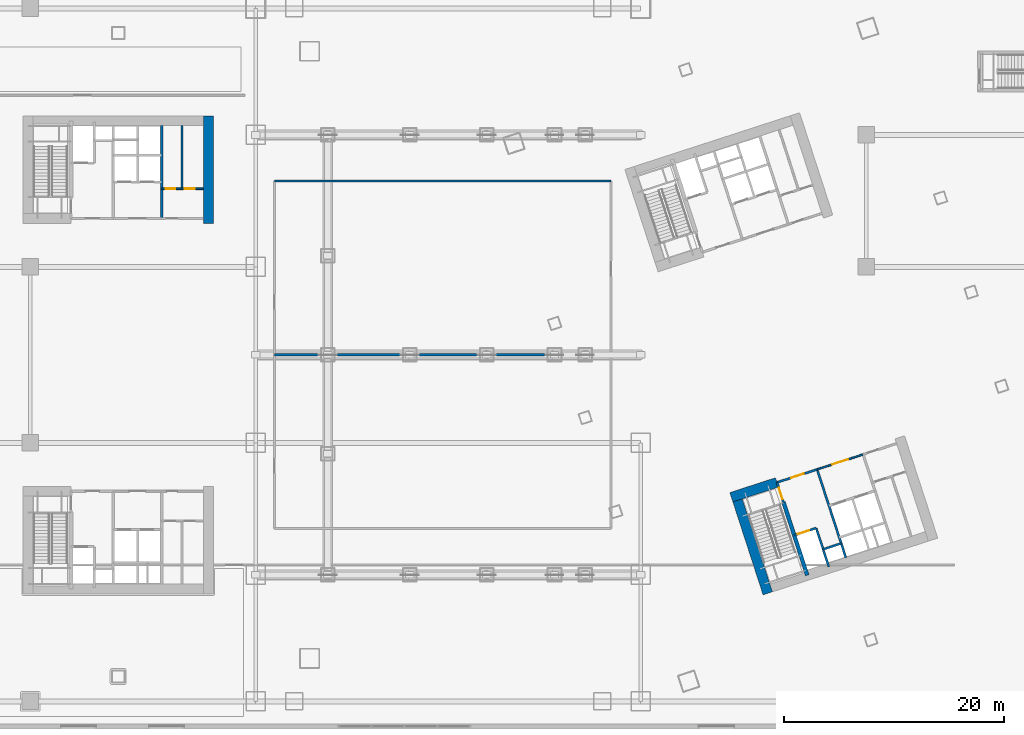
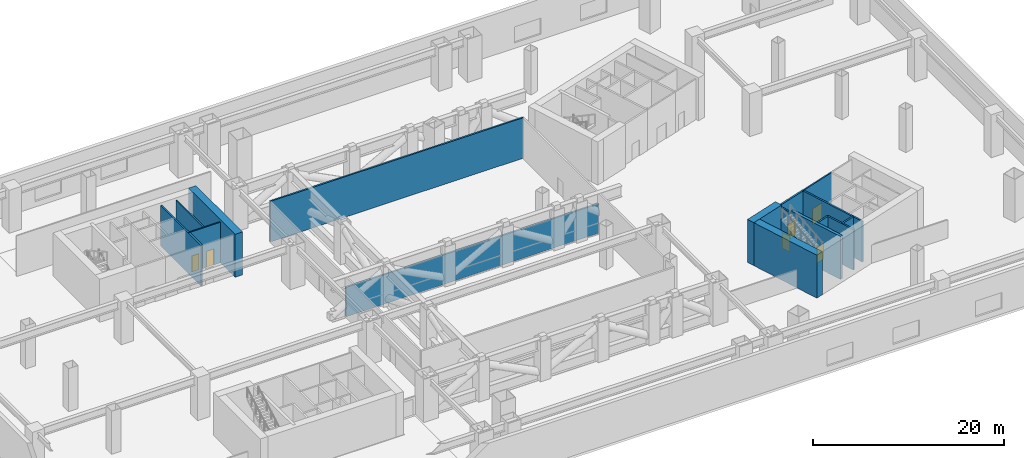
# One storey, part 27 of 34: 16 walls, 6 doors, 6 openings.
"""IFC4 building model written with IfcOpenShell, lengths in metres."""

from ifc_helpers import new_model, si_unit, direction, frame, frame_2d, origin, place, context, subcontext, project, spatial, rectangle, extrude, material, layer, layer_set, type_object, element, fill, save


model = new_model("IFC4")

# Units and contexts
model_context = context("Model", 3, precision=1e-05, world=origin(), true_north=direction((0.0, 1.0)))
body_context = subcontext(model_context, "Body", "Model", "MODEL_VIEW")
ifc_project = project(units=[si_unit("LENGTHUNIT", "METRE"), si_unit("AREAUNIT", "SQUARE_METRE"), si_unit("VOLUMEUNIT", "CUBIC_METRE"), si_unit("PLANEANGLEUNIT", "RADIAN"), si_unit("MASSUNIT", "GRAM", prefix="KILO")], contexts=[model_context])

# Site, building, storey
site_placement = place(None, origin())
site = spatial("IfcSite", under=ifc_project, at=site_placement, CompositionType="ELEMENT")
building_placement = place(site_placement, origin())
building = spatial("IfcBuilding", under=site, at=building_placement, Name="Qiaolan Cultural Towers", CompositionType="ELEMENT")
storey_placement = place(building_placement, frame((0.0, 0.0, 16.5)))
storey = spatial("IfcBuildingStorey", under=building, at=storey_placement, Name="L03", CompositionType="ELEMENT", Elevation=16.5)

# Walls
ifc_material_1 = material(Name="Concrete C50", Category="concrete")
ifc_layer_1 = layer(ifc_material_1, 0.35009765625)
ifc_layer_set_1 = layer_set([ifc_layer_1], Name="Concrete C50")
wall_type_1 = type_object("IfcWallType", Name="WL-CORE-350", PredefinedType="SHEAR", material=ifc_layer_set_1)
wall_1_placement = place(storey_placement, frame((90.486328125, 20.59423828125, 0.0), z_axis=(0.0, 0.0, 1.0), x_axis=(0.309020428229, -0.951055400562, 0.0)))
element("IfcWall", 1, at=wall_1_placement, inside=storey, type_object=wall_type_1, Name="L03 T2-CS Stair Core Dividing Web", PredefinedType="SHEAR", context=body_context, shape_type="SweptSolid", body=[
    extrude(rectangle(XDim=6.97998046875, YDim=0.35009765625, at=frame_2d((3.489990234375, 0.0))), origin(), (0.0, 0.0, 1.0), 5.5),
])
ifc_material_2 = material(Name="Concrete C60", Category="concrete")
ifc_layer_2 = layer(ifc_material_2, 0.89990234375)
ifc_layer_set_2 = layer_set([ifc_layer_2], Name="Concrete C60")
wall_type_2 = type_object("IfcWallType", Name="WL-CORE-900", PredefinedType="SHEAR", material=ifc_layer_set_2)
wall_2_placement = place(storey_placement, frame((38.199951171875, 45.949951171875, 0.0), z_axis=(0.0, 0.0, 1.0), x_axis=(0.0, 1.0, 0.0)))
element("IfcWall", 2, at=wall_2_placement, inside=storey, type_object=wall_type_2, Name="L03 T1-CN East Core Shear Wall", PredefinedType="SHEAR", context=body_context, shape_type="SweptSolid", body=[
    extrude(rectangle(XDim=9.780029296875, YDim=0.89990234375, at=frame_2d((4.89013671875, 0.0))), origin(), (0.0, 0.0, 1.0), 5.5),
])
wall_3_placement = place(storey_placement, frame((86.031982421875, 21.617919921875, 0.0), z_axis=(0.0, 0.0, 1.0), x_axis=(0.30901438634, -0.951057363693, 0.0)))
element("IfcWall", 3, at=wall_3_placement, inside=storey, type_object=wall_type_2, Name="L03 T2-CS West Core Shear Wall", PredefinedType="SHEAR", context=body_context, shape_type="SweptSolid", body=[
    extrude(rectangle(XDim=9.7802734375, YDim=0.89990234375, at=frame_2d((4.89013671875, 0.0))), origin(), (0.0, 0.0, 1.0), 5.5),
])
wall_4_placement = place(storey_placement, frame((85.7431640625, 21.05078125, 0.0), z_axis=(0.0, 0.0, 1.0), x_axis=(0.951063623806, 0.308995118848, 0.0)))
element("IfcWall", 4, at=wall_4_placement, inside=storey, type_object=wall_type_2, Name="L03 T2-CS Stair Front Shear Wall", PredefinedType="SHEAR", context=body_context, shape_type="SweptSolid", body=[
    extrude(rectangle(XDim=4.3701171875, YDim=0.89990234375, at=frame_2d((2.18505859375, 0.0))), origin(), (0.0, 0.0, 1.0), 5.5),
])
ifc_material_3 = material(Name="Concrete C35 Fire Wall", Category="concrete")
ifc_layer_3 = layer(ifc_material_3, 0.199951171875)
ifc_layer_set_3 = layer_set([ifc_layer_3], Name="Concrete C35 Fire Wall")
wall_type_3 = type_object("IfcWallType", Name="WL-FIRE-200", PredefinedType="PARTITIONING", material=ifc_layer_set_3)
wall_5_placement = place(storey_placement, frame((33.949951171875, 46.39990234375, 0.0), z_axis=(0.0, 0.0, 1.0), x_axis=(0.0, 1.0, 0.0)))
element("IfcWall", 5, at=wall_5_placement, inside=storey, type_object=wall_type_3, Name="L03 T1-CN Lift Core East Wall", PredefinedType="PARTITIONING", context=body_context, shape_type="SweptSolid", body=[
    extrude(rectangle(XDim=8.43017578125, YDim=0.199951171875, at=frame_2d((4.215087890625, 0.0))), origin(), (0.0, 0.0, 1.0), 5.18505859375),
])

# Wall, opening, door
wall_6_placement = place(storey_placement, frame((89.8994140625, 22.401123046875, 0.0), z_axis=(0.0, 0.0, 1.0), x_axis=(0.308932062672, -0.951084108086, 0.0)))
wall_6 = element("IfcWall", 6, at=wall_6_placement, inside=storey, type_object=wall_type_3, Name="L03 T2-CS Smokeproof Stair Entry Wall", PredefinedType="PARTITIONING", context=body_context, shape_type="SweptSolid", body=[
    extrude(rectangle(XDim=1.89990234375, YDim=0.199951171875, at=frame_2d((0.949951171875, 0.0))), origin(), (0.0, 0.0, 1.0), 5.18505859375),
])
opening_1_placement = place(wall_6_placement, frame((0.52001953125, 0.0, 0.0)))
opening_1 = element("IfcOpeningElement", 7, at=opening_1_placement, cuts=wall_6, Name="Opening FD-04", PredefinedType="OPENING", context=body_context, shape_type="SweptSolid", body=[
    extrude(rectangle(XDim=1.10009765625, YDim=2.050048828125, at=frame_2d((0.550048828125, 1.02490234375))), frame((0.0, 0.10986328125, 0.0), z_axis=(0.0, -1.0, 0.0), x_axis=(1.0, 0.0, 0.0)), (0.0, 0.0, 1.0), 0.219970703125),
])
ifc_material_4 = material(Name="Galvanized Steel Command Fire Door", Category="steel")
door_type_1 = type_object("IfcDoorType", Name="DR-FD90-1100", OperationType="NOTDEFINED", PredefinedType="DOOR", material=ifc_material_4)
door_1_placement = place(opening_1_placement, origin())
door_1 = element("IfcDoor", 8, at=door_1_placement, inside=storey, type_object=door_type_1, Name="L03 ST-E1 Smokeproof Stair Fire Door", OperationType="SINGLE_SWING_LEFT", OverallHeight=2.050048828125, OverallWidth=1.10009765625, PredefinedType="DOOR", context=body_context, shape_type="SweptSolid", body=[
    extrude(rectangle(XDim=1.10009765625, YDim=2.050048828125, at=frame_2d((0.550048828125, 1.02490234375))), frame((0.0, 0.02490234375, 0.0), z_axis=(0.0, -1.0, 0.0), x_axis=(1.0, 0.0, 0.0)), (0.0, 0.0, 1.0), 0.050048828125),
])
fill(opening_1, door_1)

# Wall
wall_7_placement = place(storey_placement, frame((93.541748046875, 23.584716796875, 0.0), z_axis=(0.0, 0.0, 1.0), x_axis=(0.309042196757, -0.951048327176, 0.0)))
element("IfcWall", 9, at=wall_7_placement, inside=storey, type_object=wall_type_3, Name="L03 T2-CS Firefighting Zone Wall", PredefinedType="PARTITIONING", context=body_context, shape_type="SweptSolid", body=[
    extrude(rectangle(XDim=8.429931640625, YDim=0.199951171875, at=frame_2d((4.21484375, 0.0))), origin(), (0.0, 0.0, 1.0), 5.18505859375),
])

# Wall, opening, door
wall_8_placement = place(storey_placement, frame((89.8994140625, 22.401123046875, 0.0), z_axis=(0.0, 0.0, 1.0), x_axis=(0.951046716504, 0.309047153403, 0.0)))
wall_8 = element("IfcWall", 10, at=wall_8_placement, inside=storey, type_object=wall_type_3, Name="L03 T2-CS Firefighting Lobby Front Wall", PredefinedType="PARTITIONING", context=body_context, shape_type="SweptSolid", body=[
    extrude(rectangle(XDim=3.829833984375, YDim=0.199951171875, at=frame_2d((1.9150390625, 0.0))), origin(), (0.0, 0.0, 1.0), 5.18505859375),
])
opening_2_placement = place(wall_8_placement, frame((1.35009765625, 0.0, 0.0)))
opening_2 = element("IfcOpeningElement", 11, at=opening_2_placement, cuts=wall_8, Name="Opening FD-03", PredefinedType="OPENING", context=body_context, shape_type="SweptSolid", body=[
    extrude(rectangle(XDim=1.199951171875, YDim=2.050048828125, at=frame_2d((0.60009765625, 1.02490234375))), frame((0.0, 0.10986328125, 0.0), z_axis=(0.0, -1.0, 0.0), x_axis=(1.0, 0.0, 0.0)), (0.0, 0.0, 1.0), 0.219970703125),
])
ifc_material_5 = material(Name="Galvanized Steel Smokeproof Lobby Fire Door", Category="steel")
door_type_2 = type_object("IfcDoorType", Name="DR-FD90-1200", OperationType="NOTDEFINED", PredefinedType="DOOR", material=ifc_material_5)
door_2_placement = place(opening_2_placement, origin())
door_2 = element("IfcDoor", 12, at=door_2_placement, inside=storey, type_object=door_type_2, Name="L03 FFL-E1 Firefighting Lobby Fire Door", OperationType="SINGLE_SWING_LEFT", OverallHeight=2.050048828125, OverallWidth=1.199951171875, PredefinedType="DOOR", context=body_context, shape_type="SweptSolid", body=[
    extrude(rectangle(XDim=1.199951171875, YDim=2.050048828125, at=frame_2d((0.60009765625, 1.02490234375))), frame((0.0, 0.02490234375, 0.0), z_axis=(0.0, -1.0, 0.0), x_axis=(1.0, 0.0, 0.0)), (0.0, 0.0, 1.0), 0.050048828125),
])
fill(opening_2, door_2)

wall_9_placement = place(storey_placement, frame((91.459716796875, 17.598388671875, 0.0), z_axis=(0.0, 0.0, 1.0), x_axis=(0.951062257173, 0.308999325213, 0.0)))
wall_9 = element("IfcWall", 13, at=wall_9_placement, inside=storey, type_object=wall_type_3, Name="L03 T2-CS Firefighting Shaft Front Wall", PredefinedType="PARTITIONING", context=body_context, shape_type="SweptSolid", body=[
    extrude(rectangle(XDim=2.10009765625, YDim=0.199951171875, at=frame_2d((1.050048828125, 0.0))), origin(), (0.0, 0.0, 1.0), 5.18505859375),
])
opening_3_placement = place(wall_9_placement, frame((0.35009765625, 0.0, 0.0)))
opening_3 = element("IfcOpeningElement", 14, at=opening_3_placement, cuts=wall_9, Name="Opening LD-01", PredefinedType="OPENING", context=body_context, shape_type="SweptSolid", body=[
    extrude(rectangle(XDim=1.10009765625, YDim=2.050048828125, at=frame_2d((0.550048828125, 1.02490234375))), frame((0.0, 0.10986328125, 0.0), z_axis=(0.0, -1.0, 0.0), x_axis=(1.0, 0.0, 0.0)), (0.0, 0.0, 1.0), 0.219970703125),
])
ifc_material_6 = material(Name="Brushed Stainless Steel S30408 Centre-Parting Lift Landing Door", Category="steel")
door_type_3 = type_object("IfcDoorType", Name="DR-LIFT-1100", OperationType="NOTDEFINED", PredefinedType="DOOR", material=ifc_material_6)
door_3_placement = place(opening_3_placement, origin())
door_3 = element("IfcDoor", 15, at=door_3_placement, inside=storey, type_object=door_type_3, Name="L03 FFL-E1 Firefighting Lift Landing Door", OperationType="DOUBLE_DOOR_SLIDING", OverallHeight=2.050048828125, OverallWidth=1.10009765625, PredefinedType="DOOR", context=body_context, shape_type="SweptSolid", body=[
    extrude(rectangle(XDim=1.10009765625, YDim=2.050048828125, at=frame_2d((0.550048828125, 1.02490234375))), frame((0.0, 0.02490234375, 0.0), z_axis=(0.0, -1.0, 0.0), x_axis=(1.0, 0.0, 0.0)), (0.0, 0.0, 1.0), 0.050048828125),
])
fill(opening_3, door_3)

# Walls
wall_10_placement = place(storey_placement, frame((93.45703125, 18.247314453125, 0.0), z_axis=(0.0, 0.0, 1.0), x_axis=(0.3089935693, -0.951064127245, 0.0)))
element("IfcWall", 16, at=wall_10_placement, inside=storey, type_object=wall_type_3, Name="L03 T2-CS Firefighting Hoistway East Wall", PredefinedType="PARTITIONING", context=body_context, shape_type="SweptSolid", body=[
    extrude(rectangle(XDim=3.7001953125, YDim=0.199951171875, at=frame_2d((1.85009765625, 0.0))), origin(), (0.0, 0.0, 1.0), 5.18505859375),
])
wall_11_placement = place(storey_placement, frame((94.08447265625, 16.316650390625, 0.0), z_axis=(0.0, 0.0, 1.0), x_axis=(0.951041328149, 0.309063734775, 0.0)))
element("IfcWall", 17, at=wall_11_placement, inside=storey, type_object=wall_type_3, Name="L03 T2-CS Pressurization Shaft Front Wall", PredefinedType="PARTITIONING", context=body_context, shape_type="SweptSolid", body=[
    extrude(rectangle(XDim=1.72998046875, YDim=0.199951171875, at=frame_2d((0.864990234375, 0.0))), origin(), (0.0, 0.0, 1.0), 5.18505859375),
])
wall_12_placement = place(storey_placement, frame((44.199951171875, 49.800048828125, 0.0), z_axis=(0.0, 0.0, 1.0), x_axis=(1.0, 0.0, 0.0)))
element("IfcWall", 18, at=wall_12_placement, inside=storey, type_object=wall_type_3, Name="L03 Podium Partition L03-TRN", PredefinedType="PARTITIONING", context=body_context, shape_type="SweptSolid", body=[
    extrude(rectangle(XDim=30.60009765625, YDim=0.199951171875, at=frame_2d((15.300048828125, 0.0))), origin(), (0.0, 0.0, 1.0), 5.18505859375),
])
wall_13_placement = place(storey_placement, frame((44.199951171875, 34.0, 0.0), z_axis=(0.0, 0.0, 1.0), x_axis=(1.0, 0.0, 0.0)))
element("IfcWall", 19, at=wall_13_placement, inside=storey, type_object=wall_type_3, Name="L03 Podium Partition L03-TRM", PredefinedType="PARTITIONING", context=body_context, shape_type="SweptSolid", body=[
    extrude(rectangle(XDim=30.60009765625, YDim=0.199951171875, at=frame_2d((15.300048828125, 0.0))), origin(), (0.0, 0.0, 1.0), 3.77490234375),
])

# Wall, openings, doors
ifc_material_7 = material(Name="Autoclaved Aerated Concrete Block B06", Category="concrete")
ifc_layer_4 = layer(ifc_material_7, 0.14990234375)
ifc_layer_set_4 = layer_set([ifc_layer_4], Name="Autoclaved Aerated Concrete Block B06")
wall_type_4 = type_object("IfcWallType", Name="WL-PART-150", PredefinedType="PARTITIONING", material=ifc_layer_set_4)
wall_14_placement = place(storey_placement, frame((33.949951171875, 49.10009765625, 0.0), z_axis=(0.0, 0.0, 1.0), x_axis=(1.0, 0.0, 0.0)))
wall_14 = element("IfcWall", 20, at=wall_14_placement, inside=storey, type_object=wall_type_4, Name="L03 T1-CN Restroom Vestibule Wall", PredefinedType="PARTITIONING", context=body_context, shape_type="SweptSolid", body=[
    extrude(rectangle(XDim=3.800048828125, YDim=0.14990234375, at=frame_2d((1.89990234375, 0.0))), origin(), (0.0, 0.0, 1.0), 5.18505859375),
])
opening_4_placement = place(wall_14_placement, frame((0.35009765625, 0.0, 0.0)))
opening_4 = element("IfcOpeningElement", 21, at=opening_4_placement, cuts=wall_14, Name="Opening ID-06", PredefinedType="OPENING", context=body_context, shape_type="SweptSolid", body=[
    extrude(rectangle(XDim=0.89990234375, YDim=2.050048828125, at=frame_2d((0.449951171875, 1.02490234375))), frame((0.0, 0.0849609375, 0.0), z_axis=(0.0, -1.0, 0.0), x_axis=(1.0, 0.0, 0.0)), (0.0, 0.0, 1.0), 0.169921875),
])
opening_5_placement = place(wall_14_placement, frame((2.10009765625, 0.0, 0.0)))
opening_5 = element("IfcOpeningElement", 22, at=opening_5_placement, cuts=wall_14, Name="Opening ID-06", PredefinedType="OPENING", context=body_context, shape_type="SweptSolid", body=[
    extrude(rectangle(XDim=0.89990234375, YDim=2.050048828125, at=frame_2d((0.449951171875, 1.02490234375))), frame((0.0, 0.0849609375, 0.0), z_axis=(0.0, -1.0, 0.0), x_axis=(1.0, 0.0, 0.0)), (0.0, 0.0, 1.0), 0.169921875),
])
ifc_material_8 = material(Name="Fire-Rated Laminate Core Service Door", Category="timber")
door_type_4 = type_object("IfcDoorType", Name="DR-INT-900", OperationType="NOTDEFINED", PredefinedType="DOOR", material=ifc_material_8)
door_4_placement = place(opening_4_placement, origin())
door_4 = element("IfcDoor", 23, at=door_4_placement, inside=storey, type_object=door_type_4, Name="L03 Men Restroom Door", OperationType="SINGLE_SWING_LEFT", OverallHeight=2.050048828125, OverallWidth=0.89990234375, PredefinedType="DOOR", context=body_context, shape_type="SweptSolid", body=[
    extrude(rectangle(XDim=0.89990234375, YDim=2.050048828125, at=frame_2d((0.449951171875, 1.02490234375))), frame((0.0, 0.02490234375, 0.0), z_axis=(0.0, -1.0, 0.0), x_axis=(1.0, 0.0, 0.0)), (0.0, 0.0, 1.0), 0.050048828125),
])
fill(opening_4, door_4)
door_5_placement = place(opening_5_placement, origin())
door_5 = element("IfcDoor", 24, at=door_5_placement, inside=storey, type_object=door_type_4, Name="L03 Accessible & Women Restroom Door", OperationType="SINGLE_SWING_RIGHT", OverallHeight=2.050048828125, OverallWidth=0.89990234375, PredefinedType="DOOR", context=body_context, shape_type="SweptSolid", body=[
    extrude(rectangle(XDim=0.89990234375, YDim=2.050048828125, at=frame_2d((0.449951171875, 1.02490234375))), frame((0.0, 0.02490234375, 0.0), z_axis=(0.0, -1.0, 0.0), x_axis=(1.0, 0.0, 0.0)), (0.0, 0.0, 1.0), 0.050048828125),
])
fill(opening_5, door_5)

# Wall
wall_15_placement = place(storey_placement, frame((35.800048828125, 49.10009765625, 0.0), z_axis=(0.0, 0.0, 1.0), x_axis=(0.0, 1.0, 0.0)))
element("IfcWall", 25, at=wall_15_placement, inside=storey, type_object=wall_type_4, Name="L03 T1-CN Restroom Divider Wall", PredefinedType="PARTITIONING", context=body_context, shape_type="SweptSolid", body=[
    extrude(rectangle(XDim=5.72998046875, YDim=0.14990234375, at=frame_2d((2.864990234375, 0.0))), origin(), (0.0, 0.0, 1.0), 5.18505859375),
])

# Wall, opening, door
wall_16_placement = place(storey_placement, frame((93.541748046875, 23.584716796875, 0.0), z_axis=(0.0, 0.0, 1.0), x_axis=(0.951063829732, 0.308994485023, 0.0)))
wall_16 = element("IfcWall", 26, at=wall_16_placement, inside=storey, type_object=wall_type_4, Name="L03 T2-CS Passenger Lift Lobby Front Wall", PredefinedType="PARTITIONING", context=body_context, shape_type="SweptSolid", body=[
    extrude(rectangle(XDim=4.400146484375, YDim=0.14990234375, at=frame_2d((2.2001953125, 0.0))), origin(), (0.0, 0.0, 1.0), 5.18505859375),
])
opening_6_placement = place(wall_16_placement, frame((1.449951171875, 0.0, 0.0)))
opening_6 = element("IfcOpeningElement", 27, at=opening_6_placement, cuts=wall_16, Name="Opening FD-05", PredefinedType="OPENING", context=body_context, shape_type="SweptSolid", body=[
    extrude(rectangle(XDim=1.5, YDim=2.050048828125, at=frame_2d((0.75, 1.02490234375))), frame((0.0, 0.0849609375, 0.0), z_axis=(0.0, -1.0, 0.0), x_axis=(1.0, 0.0, 0.0)), (0.0, 0.0, 1.0), 0.169921875),
])
ifc_material_9 = material(Name="Painted Steel Lift Lobby Fire Door", Category="steel")
door_type_5 = type_object("IfcDoorType", Name="DR-FD60-1500", OperationType="NOTDEFINED", PredefinedType="DOOR", material=ifc_material_9)
door_6_placement = place(opening_6_placement, origin())
door_6 = element("IfcDoor", 28, at=door_6_placement, inside=storey, type_object=door_type_5, Name="L03 Passenger Lift Lobby Entrance", OperationType="SINGLE_SWING_LEFT", OverallHeight=2.050048828125, OverallWidth=1.5, PredefinedType="DOOR", context=body_context, shape_type="SweptSolid", body=[
    extrude(rectangle(XDim=1.5, YDim=2.050048828125, at=frame_2d((0.75, 1.02490234375))), frame((0.0, 0.02490234375, 0.0), z_axis=(0.0, -1.0, 0.0), x_axis=(1.0, 0.0, 0.0)), (0.0, 0.0, 1.0), 0.050048828125),
])
fill(opening_6, door_6)

save(model, "model.ifc")
